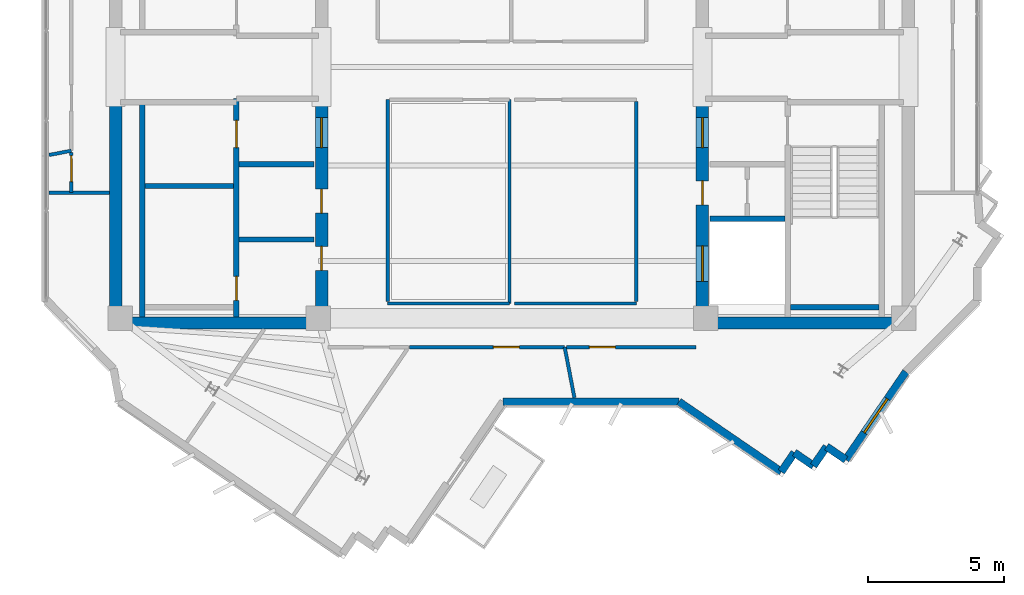
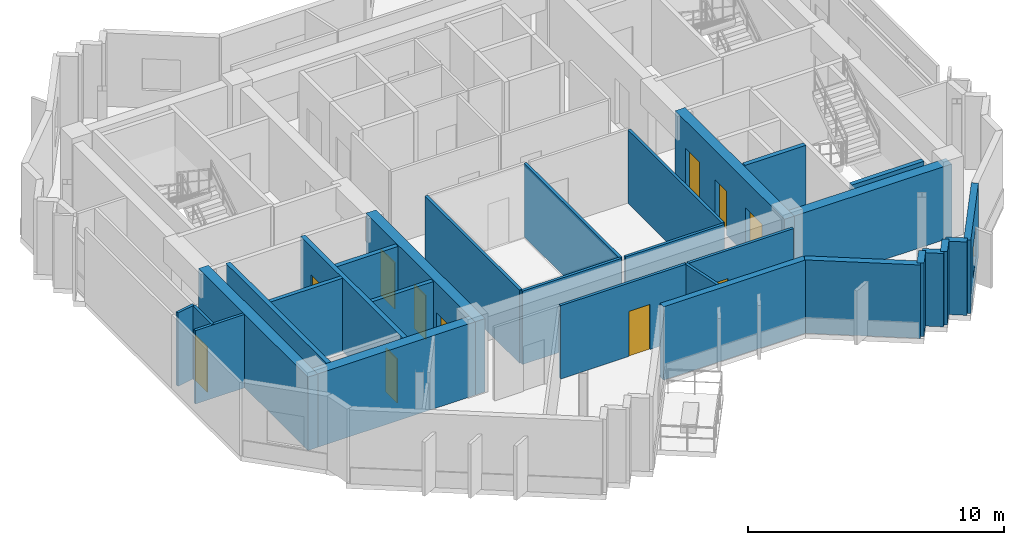
# One storey, part 5 of 11: 30 walls, 11 doors, 1 window, 12 openings.
"""IFC4 building model written with IfcOpenShell, lengths in metres."""

from ifc_helpers import new_model, si_unit, direction, frame, frame_2d, origin, place, context, subcontext, project, spatial, rectangle, extrude, source, transform, mapped, material, layer, layer_set, type_object, element, fill, save


model = new_model("IFC4")

# Units and contexts
model_context = context("Model", 3, precision=1e-05, world=origin(), true_north=direction((0.0, 1.0)))
body_context = subcontext(model_context, "Body", "Model", "MODEL_VIEW")
ifc_project = project(units=[si_unit("LENGTHUNIT", "METRE"), si_unit("AREAUNIT", "SQUARE_METRE"), si_unit("VOLUMEUNIT", "CUBIC_METRE"), si_unit("PLANEANGLEUNIT", "RADIAN"), si_unit("MASSUNIT", "GRAM", prefix="KILO")], contexts=[model_context])

# Site, building, storey
site_placement = place(None, origin())
site = spatial("IfcSite", under=ifc_project, at=site_placement, CompositionType="ELEMENT")
building_placement = place(site_placement, origin())
building = spatial("IfcBuilding", under=site, at=building_placement, Name="Zahravan Cultural Tower", CompositionType="ELEMENT")
storey_placement = place(building_placement, frame((0.0, 0.0, 338.550048828125)))
storey = spatial("IfcBuildingStorey", under=building, at=storey_placement, Name="L82", CompositionType="ELEMENT", Elevation=338.550048828125)

# Wall, openings, doors
ifc_material_1 = material(Name="Concrete C50/60", Category="concrete")
ifc_layer_1 = layer(ifc_material_1, 0.449951171875)
ifc_layer_set_1 = layer_set([ifc_layer_1], Name="Concrete C50/60")
wall_type_1 = type_object("IfcWallType", Name="CW-SHEAR-450-C50", PredefinedType="SHEAR", material=ifc_layer_set_1)
wall_1_placement = place(storey_placement, frame((29.02490234375, 17.39990234375, 0.0), z_axis=(0.0, 0.0, 1.0), x_axis=(0.0, 1.0, 0.0)))
wall_1 = element("IfcWall", 1, at=wall_1_placement, inside=storey, type_object=wall_type_1, Name="L82 Core Shear Wall CW-W-ES-L82", PredefinedType="SHEAR", context=body_context, shape_type="SweptSolid", body=[
    extrude(rectangle(XDim=8.550048828125, YDim=0.449951171875, at=frame_2d((4.27490234375, 0.0))), origin(), (0.0, 0.0, 1.0), 3.5),
])
opening_1_placement = place(wall_1_placement, frame((6.64990234375, 0.0, 0.0)))
opening_1 = element("IfcOpeningElement", 2, at=opening_1_placement, cuts=wall_1, Name="Opening D-L82-08", PredefinedType="OPENING", context=body_context, shape_type="SweptSolid", body=[
    extrude(rectangle(XDim=1.10009765625, YDim=2.199951171875, at=frame_2d((0.550048828125, 1.10009765625))), frame((0.0, 0.23486328125, 0.0), z_axis=(0.0, -1.0, 0.0), x_axis=(1.0, 0.0, 0.0)), (0.0, 0.0, 1.0), 0.469970703125),
])
opening_2_placement = place(wall_1_placement, frame((2.14990234375, 0.0, 0.0)))
opening_2 = element("IfcOpeningElement", 3, at=opening_2_placement, cuts=wall_1, Name="Opening D-L82-10", PredefinedType="OPENING", context=body_context, shape_type="SweptSolid", body=[
    extrude(rectangle(XDim=0.8798828125, YDim=2.10009765625, at=frame_2d((0.43994140625, 1.050048828125))), frame((0.0, 0.23486328125, 0.0), z_axis=(0.0, -1.0, 0.0), x_axis=(1.0, 0.0, 0.0)), (0.0, 0.0, 1.0), 0.469970703125),
])
opening_3_placement = place(wall_1_placement, frame((4.25, 0.0, 0.0)))
opening_3 = element("IfcOpeningElement", 4, at=opening_3_placement, cuts=wall_1, Name="Opening D-L82-11", PredefinedType="OPENING", context=body_context, shape_type="SweptSolid", body=[
    extrude(rectangle(XDim=0.8798828125, YDim=2.10009765625, at=frame_2d((0.43994140625, 1.050048828125))), frame((0.0, 0.23486328125, 0.0), z_axis=(0.0, -1.0, 0.0), x_axis=(1.0, 0.0, 0.0)), (0.0, 0.0, 1.0), 0.469970703125),
])
ifc_material_2 = material(Name="Steel ASTM A572 Grade 50", Category="steel")
door_type_1 = type_object("IfcDoorType", Name="DR-LOBBY-1100", OperationType="NOTDEFINED", PredefinedType="DOOR", material=ifc_material_2)
shared_shape_1 = source(origin(), body_context, "Body", "SweptSolid", [
    extrude(rectangle(XDim=1.10009765625, YDim=2.199951171875, at=frame_2d((0.550048828125, 1.10009765625))), frame((0.0, 0.02490234375, 0.0), z_axis=(0.0, -1.0, 0.0), x_axis=(1.0, 0.0, 0.0)), (0.0, 0.0, 1.0), 0.050048828125),
])
door_1_placement = place(opening_1_placement, origin())
door_1 = element("IfcDoor", 5, at=door_1_placement, inside=storey, type_object=door_type_1, Name="L82 Door D-L82-08", OperationType="SINGLE_SWING_LEFT", OverallHeight=2.199951171875, OverallWidth=1.10009765625, PredefinedType="DOOR", context=body_context, shape_type="MappedRepresentation", body=[
    mapped(shared_shape_1, transform((0.0, 0.0, 0.0), x_axis=(1.0, 0.0, 0.0), y_axis=(0.0, 1.0, 0.0), z_axis=(0.0, 0.0, 1.0), scale=1.0)),
])
fill(opening_1, door_1)
door_type_2 = type_object("IfcDoorType", Name="DR-SVC-880", OperationType="NOTDEFINED", PredefinedType="DOOR", material=ifc_material_2)
shared_shape_2 = source(origin(), body_context, "Body", "SweptSolid", [
    extrude(rectangle(XDim=0.8798828125, YDim=2.10009765625, at=frame_2d((0.43994140625, 1.050048828125))), frame((0.0, 0.02490234375, 0.0), z_axis=(0.0, -1.0, 0.0), x_axis=(1.0, 0.0, 0.0)), (0.0, 0.0, 1.0), 0.050048828125),
])
door_2_placement = place(opening_2_placement, origin())
door_2 = element("IfcDoor", 6, at=door_2_placement, inside=storey, type_object=door_type_2, Name="L82 Door D-L82-10", OperationType="SINGLE_SWING_LEFT", OverallHeight=2.10009765625, OverallWidth=0.8798828125, PredefinedType="DOOR", context=body_context, shape_type="MappedRepresentation", body=[
    mapped(shared_shape_2, transform((0.0, 0.0, 0.0), x_axis=(1.0, 0.0, 0.0), y_axis=(0.0, 1.0, 0.0), z_axis=(0.0, 0.0, 1.0), scale=1.0)),
])
fill(opening_2, door_2)
door_3_placement = place(opening_3_placement, origin())
door_3 = element("IfcDoor", 7, at=door_3_placement, inside=storey, type_object=door_type_2, Name="L82 Door D-L82-11", OperationType="SINGLE_SWING_RIGHT", OverallHeight=2.10009765625, OverallWidth=0.8798828125, PredefinedType="DOOR", context=body_context, shape_type="MappedRepresentation", body=[
    mapped(shared_shape_2, transform((0.0, 0.0, 0.0), x_axis=(1.0, 0.0, 0.0), y_axis=(0.0, 1.0, 0.0), z_axis=(0.0, 0.0, 1.0), scale=1.0)),
])
fill(opening_3, door_3)

wall_2_placement = place(storey_placement, frame((42.97509765625, 17.39990234375, 0.0), z_axis=(0.0, 0.0, 1.0), x_axis=(0.0, 1.0, 0.0)))
wall_2 = element("IfcWall", 8, at=wall_2_placement, inside=storey, type_object=wall_type_1, Name="L82 Core Shear Wall CW-E-WS-L82", PredefinedType="SHEAR", context=body_context, shape_type="SweptSolid", body=[
    extrude(rectangle(XDim=8.550048828125, YDim=0.449951171875, at=frame_2d((4.27490234375, 0.0))), origin(), (0.0, 0.0, 1.0), 3.5),
])
opening_4_placement = place(wall_2_placement, frame((6.64990234375, 0.0, 0.0)))
opening_4 = element("IfcOpeningElement", 9, at=opening_4_placement, cuts=wall_2, Name="Opening D-L82-09", PredefinedType="OPENING", context=body_context, shape_type="SweptSolid", body=[
    extrude(rectangle(XDim=1.10009765625, YDim=2.199951171875, at=frame_2d((0.550048828125, 1.10009765625))), frame((0.0, 0.23486328125, 0.0), z_axis=(0.0, -1.0, 0.0), x_axis=(1.0, 0.0, 0.0)), (0.0, 0.0, 1.0), 0.469970703125),
])
opening_5_placement = place(wall_2_placement, frame((1.75, 0.0, 0.0)))
opening_5 = element("IfcOpeningElement", 10, at=opening_5_placement, cuts=wall_2, Name="Opening LD-L82-03", PredefinedType="OPENING", context=body_context, shape_type="SweptSolid", body=[
    extrude(rectangle(XDim=1.300048828125, YDim=2.199951171875, at=frame_2d((0.64990234375, 1.10009765625))), frame((0.0, 0.23486328125, 0.0), z_axis=(0.0, -1.0, 0.0), x_axis=(1.0, 0.0, 0.0)), (0.0, 0.0, 1.0), 0.469970703125),
])
opening_6_placement = place(wall_2_placement, frame((4.550048828125, 0.0, 0.0)))
opening_6 = element("IfcOpeningElement", 11, at=opening_6_placement, cuts=wall_2, Name="Opening D-L82-12", PredefinedType="OPENING", context=body_context, shape_type="SweptSolid", body=[
    extrude(rectangle(XDim=0.8798828125, YDim=2.10009765625, at=frame_2d((0.43994140625, 1.050048828125))), frame((0.0, 0.23486328125, 0.0), z_axis=(0.0, -1.0, 0.0), x_axis=(1.0, 0.0, 0.0)), (0.0, 0.0, 1.0), 0.469970703125),
])
door_4_placement = place(opening_4_placement, origin())
door_4 = element("IfcDoor", 12, at=door_4_placement, inside=storey, type_object=door_type_1, Name="L82 Door D-L82-09", OperationType="SINGLE_SWING_RIGHT", OverallHeight=2.199951171875, OverallWidth=1.10009765625, PredefinedType="DOOR", context=body_context, shape_type="MappedRepresentation", body=[
    mapped(shared_shape_1, transform((0.0, 0.0, 0.0), x_axis=(1.0, 0.0, 0.0), y_axis=(0.0, 1.0, 0.0), z_axis=(0.0, 0.0, 1.0), scale=1.0)),
])
fill(opening_4, door_4)
door_type_3 = type_object("IfcDoorType", Name="DR-LIFT-1300", OperationType="DOUBLE_DOOR_SLIDING", PredefinedType="DOOR", material=ifc_material_2)
shared_shape_3 = source(origin(), body_context, "Body", "SweptSolid", [
    extrude(rectangle(XDim=1.300048828125, YDim=2.199951171875, at=frame_2d((0.64990234375, 1.10009765625))), frame((0.0, 0.02490234375, 0.0), z_axis=(0.0, -1.0, 0.0), x_axis=(1.0, 0.0, 0.0)), (0.0, 0.0, 1.0), 0.050048828125),
])
door_5_placement = place(opening_5_placement, origin())
door_5 = element("IfcDoor", 13, at=door_5_placement, inside=storey, type_object=door_type_3, Name="L82 Door LD-L82-03", OperationType="DOUBLE_DOOR_SLIDING", OverallHeight=2.199951171875, OverallWidth=1.300048828125, PredefinedType="DOOR", context=body_context, shape_type="MappedRepresentation", body=[
    mapped(shared_shape_3, transform((0.0, 0.0, 0.0), x_axis=(1.0, 0.0, 0.0), y_axis=(0.0, 1.0, 0.0), z_axis=(0.0, 0.0, 1.0), scale=1.0)),
])
fill(opening_5, door_5)
door_6_placement = place(opening_6_placement, origin())
door_6 = element("IfcDoor", 14, at=door_6_placement, inside=storey, type_object=door_type_2, Name="L82 Door D-L82-12", OperationType="SINGLE_SWING_LEFT", OverallHeight=2.10009765625, OverallWidth=0.8798828125, PredefinedType="DOOR", context=body_context, shape_type="MappedRepresentation", body=[
    mapped(shared_shape_2, transform((0.0, 0.0, 0.0), x_axis=(1.0, 0.0, 0.0), y_axis=(0.0, 1.0, 0.0), z_axis=(0.0, 0.0, 1.0), scale=1.0)),
])
fill(opening_6, door_6)

# Wall, opening, window
ifc_material_3 = material(Name="Precast concrete C40/50", Category="concrete")
ifc_layer_2 = layer(ifc_material_3, 0.280029296875)
ifc_layer_set_2 = layer_set([ifc_layer_2], Name="Precast concrete C40/50")
wall_type_2 = type_object("IfcWallType", Name="EW-TC-280", PredefinedType="SOLIDWALL", material=ifc_layer_set_2)
wall_3_placement = place(storey_placement, frame((50.43701171875, 15.8349609375, 0.0), z_axis=(0.0, 0.0, 1.0), x_axis=(-0.564961879511, -0.825117006672, 0.0)))
wall_3 = element("IfcWall", 15, at=wall_3_placement, inside=storey, type_object=wall_type_2, Name="L82 Exterior Masonry Frame Wall 27", PredefinedType="SOLIDWALL", context=body_context, shape_type="SweptSolid", body=[
    extrude(rectangle(XDim=3.90380859375, YDim=0.280029296875, at=frame_2d((1.951904296875, 0.0))), origin(), (0.0, 0.0, 1.0), 3.5),
])
opening_7_placement = place(wall_3_placement, frame((1.201904296875, 0.0, 0.85009765625)))
opening_7 = element("IfcOpeningElement", 16, at=opening_7_placement, cuts=wall_3, Name="Opening WN-03", PredefinedType="OPENING", context=body_context, shape_type="SweptSolid", body=[
    extrude(rectangle(XDim=1.5, YDim=1.5, at=frame_2d((0.75, 0.75))), frame((0.0, 0.14990234375, 0.0), z_axis=(0.0, -1.0, 0.0), x_axis=(1.0, 0.0, 0.0)), (0.0, 0.0, 1.0), 0.300048828125),
])
ifc_material_4 = material(Name="Low-E solar-control double glazing", Category="glass")
window_type = type_object("IfcWindowType", Name="WN-REC-1500X1500", PartitioningType="SINGLE_PANEL", PredefinedType="WINDOW", material=ifc_material_4)
shared_shape_4 = source(origin(), body_context, "Body", "SweptSolid", [
    extrude(rectangle(XDim=1.5, YDim=1.5, at=frame_2d((0.75, 0.75))), frame((0.0, 0.030029296875, 0.0), z_axis=(0.0, -1.0, 0.0), x_axis=(1.0, 0.0, 0.0)), (0.0, 0.0, 1.0), 0.06005859375),
])
window_placement = place(opening_7_placement, origin())
window = element("IfcWindow", 17, at=window_placement, inside=storey, type_object=window_type, Name="L82 Recessed Solar Window 08", OverallHeight=1.5, OverallWidth=1.5, PartitioningType="SINGLE_PANEL", PredefinedType="WINDOW", context=body_context, shape_type="MappedRepresentation", body=[
    mapped(shared_shape_4, transform((0.0, 0.0, 0.0), x_axis=(1.0, 0.0, 0.0), y_axis=(0.0, 1.0, 0.0), z_axis=(0.0, 0.0, 1.0), scale=1.0)),
])
fill(opening_7, window)

# Wall, opening, door
ifc_material_5 = material(Name="Gypsum plasterboard partition")
ifc_layer_3 = layer(ifc_material_5, 0.125)
ifc_layer_set_3 = layer_set([ifc_layer_3], Name="Gypsum plasterboard partition")
wall_type_3 = type_object("IfcWallType", Name="W-PART-125", PredefinedType="PARTITIONING", material=ifc_layer_set_3)
wall_4_placement = place(storey_placement, frame((19.85009765625, 23.869384765625, 0.0), z_axis=(0.0, 0.0, 1.0), x_axis=(0.000665004009, -0.999999778885, 0.0)))
wall_4 = element("IfcWall", 18, at=wall_4_placement, inside=storey, type_object=wall_type_3, Name="L82 Interior Wall 069", PredefinedType="PARTITIONING", context=body_context, shape_type="SweptSolid", body=[
    extrude(rectangle(XDim=1.468505859375, YDim=0.125, at=frame_2d((0.734375, 0.0))), origin(), (0.0, 0.0, 1.0), 3.5),
])
opening_8_placement = place(wall_4_placement, frame((0.114013671875, 0.0, 0.0)))
opening_8 = element("IfcOpeningElement", 19, at=opening_8_placement, cuts=wall_4, Name="Opening D-L82-25", PredefinedType="OPENING", context=body_context, shape_type="SweptSolid", body=[
    extrude(rectangle(XDim=0.949951171875, YDim=2.14990234375, at=frame_2d((0.47509765625, 1.074951171875))), frame((0.0, 0.072509765625, 0.0), z_axis=(0.0, -1.0, 0.0), x_axis=(1.0, 0.0, 0.0)), (0.0, 0.0, 1.0), 0.14501953125),
])
ifc_material_6 = material(Name="Anodised bronze-aluminium mullion", Category="aluminium")
door_type_4 = type_object("IfcDoorType", Name="DR-ROOM-950", OperationType="NOTDEFINED", PredefinedType="DOOR", material=ifc_material_6)
shared_shape_5 = source(origin(), body_context, "Body", "SweptSolid", [
    extrude(rectangle(XDim=0.949951171875, YDim=2.14990234375, at=frame_2d((0.47509765625, 1.074951171875))), frame((0.0, 0.02490234375, 0.0), z_axis=(0.0, -1.0, 0.0), x_axis=(1.0, 0.0, 0.0)), (0.0, 0.0, 1.0), 0.050048828125),
])
door_7_placement = place(opening_8_placement, origin())
door_7 = element("IfcDoor", 20, at=door_7_placement, inside=storey, type_object=door_type_4, Name="L82 Door D-L82-25", OperationType="SINGLE_SWING_RIGHT", OverallHeight=2.14990234375, OverallWidth=0.949951171875, PredefinedType="DOOR", context=body_context, shape_type="MappedRepresentation", body=[
    mapped(shared_shape_5, transform((0.0, 0.0, 0.0), x_axis=(1.0, 0.0, 0.0), y_axis=(0.0, 1.0, 0.0), z_axis=(0.0, 0.0, 1.0), scale=1.0)),
])
fill(opening_8, door_7)

wall_5_placement = place(storey_placement, frame((32.235107421875, 16.739990234375, 0.0), z_axis=(0.0, 0.0, 1.0), x_axis=(1.0, 0.0, 0.0)))
wall_5 = element("IfcWall", 21, at=wall_5_placement, inside=storey, type_object=wall_type_3, Name="L82 Interior Wall 092", PredefinedType="PARTITIONING", context=body_context, shape_type="SweptSolid", body=[
    extrude(rectangle(XDim=5.696044921875, YDim=0.125, at=frame_2d((2.84814453125, 0.0))), origin(), (0.0, 0.0, 1.0), 3.5),
])
opening_9_placement = place(wall_5_placement, frame((3.0849609375, 0.0, 0.0)))
opening_9 = element("IfcOpeningElement", 22, at=opening_9_placement, cuts=wall_5, Name="Opening D-L82-27", PredefinedType="OPENING", context=body_context, shape_type="SweptSolid", body=[
    extrude(rectangle(XDim=0.949951171875, YDim=2.14990234375, at=frame_2d((0.47509765625, 1.074951171875))), frame((0.0, 0.072509765625, 0.0), z_axis=(0.0, -1.0, 0.0), x_axis=(1.0, 0.0, 0.0)), (0.0, 0.0, 1.0), 0.14501953125),
])
door_8_placement = place(opening_9_placement, origin())
door_8 = element("IfcDoor", 23, at=door_8_placement, inside=storey, type_object=door_type_4, Name="L82 Door D-L82-27", OperationType="SINGLE_SWING_RIGHT", OverallHeight=2.14990234375, OverallWidth=0.949951171875, PredefinedType="DOOR", context=body_context, shape_type="MappedRepresentation", body=[
    mapped(shared_shape_5, transform((0.0, 0.0, 0.0), x_axis=(1.0, 0.0, 0.0), y_axis=(0.0, 1.0, 0.0), z_axis=(0.0, 0.0, 1.0), scale=1.0)),
])
fill(opening_9, door_8)

wall_6_placement = place(storey_placement, frame((37.999755859375, 16.739990234375, 0.0), z_axis=(0.0, 0.0, 1.0), x_axis=(1.0, 0.0, 0.0)))
wall_6 = element("IfcWall", 24, at=wall_6_placement, inside=storey, type_object=wall_type_3, Name="L82 Interior Wall 095", PredefinedType="PARTITIONING", context=body_context, shape_type="SweptSolid", body=[
    extrude(rectangle(XDim=4.744384765625, YDim=0.125, at=frame_2d((2.3720703125, 0.0))), origin(), (0.0, 0.0, 1.0), 3.5),
])
opening_10_placement = place(wall_6_placement, frame((0.834716796875, 0.0, 0.0)))
opening_10 = element("IfcOpeningElement", 25, at=opening_10_placement, cuts=wall_6, Name="Opening D-L82-28", PredefinedType="OPENING", context=body_context, shape_type="SweptSolid", body=[
    extrude(rectangle(XDim=0.949951171875, YDim=2.14990234375, at=frame_2d((0.47509765625, 1.074951171875))), frame((0.0, 0.072509765625, 0.0), z_axis=(0.0, -1.0, 0.0), x_axis=(1.0, 0.0, 0.0)), (0.0, 0.0, 1.0), 0.14501953125),
])
door_9_placement = place(opening_10_placement, origin())
door_9 = element("IfcDoor", 26, at=door_9_placement, inside=storey, type_object=door_type_4, Name="L82 Door D-L82-28", OperationType="SINGLE_SWING_LEFT", OverallHeight=2.14990234375, OverallWidth=0.949951171875, PredefinedType="DOOR", context=body_context, shape_type="MappedRepresentation", body=[
    mapped(shared_shape_5, transform((0.0, 0.0, 0.0), x_axis=(1.0, 0.0, 0.0), y_axis=(0.0, 1.0, 0.0), z_axis=(0.0, 0.0, 1.0), scale=1.0)),
])
fill(opening_10, door_9)

# Wall, openings, doors
ifc_material_7 = material(Name="Concrete C45/55", Category="concrete")
ifc_layer_4 = layer(ifc_material_7, 0.199951171875)
ifc_layer_set_4 = layer_set([ifc_layer_4], Name="Concrete C45/55")
wall_type_4 = type_object("IfcWallType", Name="W-SHAFT-200", PredefinedType="SOLIDWALL", material=ifc_layer_set_4)
wall_7_placement = place(storey_placement, frame((25.89990234375, 17.85009765625, 0.0), z_axis=(0.0, 0.0, 1.0), x_axis=(0.0, 1.0, 0.0)))
wall_7 = element("IfcWall", 27, at=wall_7_placement, inside=storey, type_object=wall_type_4, Name="L82 Interior Wall 005", PredefinedType="SOLIDWALL", context=body_context, shape_type="SweptSolid", body=[
    extrude(rectangle(XDim=8.0, YDim=0.199951171875, at=frame_2d((4.0, 0.0))), origin(), (0.0, 0.0, 1.0), 3.5),
])
opening_11_placement = place(wall_7_placement, frame((6.199951171875, 0.0, 0.0)))
opening_11 = element("IfcOpeningElement", 28, at=opening_11_placement, cuts=wall_7, Name="Opening D-L82-04", PredefinedType="OPENING", context=body_context, shape_type="SweptSolid", body=[
    extrude(rectangle(XDim=1.0, YDim=2.14990234375, at=frame_2d((0.5, 1.074951171875))), frame((0.0, 0.10986328125, 0.0), z_axis=(0.0, -1.0, 0.0), x_axis=(1.0, 0.0, 0.0)), (0.0, 0.0, 1.0), 0.219970703125),
])
opening_12_placement = place(wall_7_placement, frame((0.60009765625, 0.0, 0.0)))
opening_12 = element("IfcOpeningElement", 29, at=opening_12_placement, cuts=wall_7, Name="Opening D-L82-05", PredefinedType="OPENING", context=body_context, shape_type="SweptSolid", body=[
    extrude(rectangle(XDim=0.8798828125, YDim=2.10009765625, at=frame_2d((0.43994140625, 1.050048828125))), frame((0.0, 0.10986328125, 0.0), z_axis=(0.0, -1.0, 0.0), x_axis=(1.0, 0.0, 0.0)), (0.0, 0.0, 1.0), 0.219970703125),
])
door_10_placement = place(opening_12_placement, origin())
door_10 = element("IfcDoor", 30, at=door_10_placement, inside=storey, type_object=door_type_2, Name="L82 Door D-L82-05", OperationType="SINGLE_SWING_RIGHT", OverallHeight=2.10009765625, OverallWidth=0.8798828125, PredefinedType="DOOR", context=body_context, shape_type="MappedRepresentation", body=[
    mapped(shared_shape_2, transform((0.0, 0.0, 0.0), x_axis=(1.0, 0.0, 0.0), y_axis=(0.0, 1.0, 0.0), z_axis=(0.0, 0.0, 1.0), scale=1.0)),
])
fill(opening_12, door_10)
door_type_5 = type_object("IfcDoorType", Name="DR-COMP-1000", OperationType="NOTDEFINED", PredefinedType="DOOR", material=ifc_material_2)
shared_shape_6 = source(origin(), body_context, "Body", "SweptSolid", [
    extrude(rectangle(XDim=1.0, YDim=2.14990234375, at=frame_2d((0.5, 1.074951171875))), frame((0.0, 0.02490234375, 0.0), z_axis=(0.0, -1.0, 0.0), x_axis=(1.0, 0.0, 0.0)), (0.0, 0.0, 1.0), 0.050048828125),
])
door_11_placement = place(opening_11_placement, origin())
door_11 = element("IfcDoor", 31, at=door_11_placement, inside=storey, type_object=door_type_5, Name="L82 Door D-L82-04", OperationType="SINGLE_SWING_LEFT", OverallHeight=2.14990234375, OverallWidth=1.0, PredefinedType="DOOR", context=body_context, shape_type="MappedRepresentation", body=[
    mapped(shared_shape_6, transform((0.0, 0.0, 0.0), x_axis=(1.0, 0.0, 0.0), y_axis=(0.0, 1.0, 0.0), z_axis=(0.0, 0.0, 1.0), scale=1.0)),
])
fill(opening_11, door_11)

# Walls
shared_shape_7 = source(origin(), body_context, "Body", "SweptSolid", [
    extrude(rectangle(XDim=8.550048828125, YDim=0.449951171875, at=frame_2d((4.27490234375, 0.0))), origin(), (0.0, 0.0, 1.0), 3.5),
])
wall_8_placement = place(storey_placement, frame((21.47509765625, 17.39990234375, 0.0), z_axis=(0.0, 0.0, 1.0), x_axis=(0.0, 1.0, 0.0)))
element("IfcWall", 32, at=wall_8_placement, inside=storey, type_object=wall_type_1, Name="L82 Core Shear Wall CW-W-WS-L82", PredefinedType="SHEAR", context=body_context, shape_type="MappedRepresentation", body=[
    mapped(shared_shape_7, transform((0.0, 0.0, 0.0), x_axis=(1.0, 0.0, 0.0), y_axis=(0.0, 1.0, 0.0), z_axis=(0.0, 0.0, 1.0), scale=1.0)),
])
shared_shape_8 = source(origin(), body_context, "Body", "SweptSolid", [
    extrude(rectangle(XDim=7.10009765625, YDim=0.449951171875, at=frame_2d((3.550048828125, 0.0))), origin(), (0.0, 0.0, 1.0), 3.5),
])
for number, where, z_axis, x_axis, name in (
    (33, (21.699951171875, 17.625, 0.0), (0.0, 0.0, 1.0), (1.0, 0.0, 0.0), "L82 Core Shear Wall CW-W-S-L82"),
    (34, (43.199951171875, 17.625, 0.0), (0.0, 0.0, 1.0), (1.0, 0.0, 0.0), "L82 Core Shear Wall CW-E-S-L82"),
):
    element("IfcWall", number, at=place(storey_placement, frame(where, z_axis=z_axis, x_axis=x_axis)), inside=storey, type_object=wall_type_1, Name=name, PredefinedType="SHEAR", context=body_context, shape_type="MappedRepresentation", body=[
        mapped(shared_shape_8, transform((0.0, 0.0, 0.0), x_axis=(1.0, 0.0, 0.0), y_axis=(0.0, 1.0, 0.0), z_axis=(0.0, 0.0, 1.0), scale=1.0)),
    ])
shared_shape_9 = source(origin(), body_context, "Body", "SweptSolid", [
    extrude(rectangle(XDim=0.85009765625, YDim=0.280029296875, at=frame_2d((0.425048828125, 0.0))), origin(), (0.0, 0.0, 1.0), 3.5),
])
for number, where, z_axis, x_axis, name in (
    (35, (48.2314453125, 12.61376953125, 0.0), (0.0, 0.0, 1.0), (-0.825138153006, 0.564930994418, 0.0), "L82 Exterior Masonry Frame Wall 28"),
    (36, (47.530029296875, 13.093994140625, 0.0), (0.0, 0.0, 1.0), (-0.564930994418, -0.825138153006, 0.0), "L82 Exterior Masonry Frame Wall 29"),
    (37, (47.0498046875, 12.392578125, 0.0), (0.0, 0.0, 1.0), (-0.825138153006, 0.564930994418, 0.0), "L82 Exterior Masonry Frame Wall 30"),
    (38, (46.348388671875, 12.872802734375, 0.0), (0.0, 0.0, 1.0), (-0.564930994418, -0.825138153006, 0.0), "L82 Exterior Masonry Frame Wall 31"),
):
    element("IfcWall", number, at=place(storey_placement, frame(where, z_axis=z_axis, x_axis=x_axis)), inside=storey, type_object=wall_type_2, Name=name, PredefinedType="SOLIDWALL", context=body_context, shape_type="MappedRepresentation", body=[
        mapped(shared_shape_9, transform((0.0, 0.0, 0.0), x_axis=(1.0, 0.0, 0.0), y_axis=(0.0, 1.0, 0.0), z_axis=(0.0, 0.0, 1.0), scale=1.0)),
    ])
shared_shape_10 = source(origin(), body_context, "Body", "SweptSolid", [
    extrude(rectangle(XDim=4.54638671875, YDim=0.280029296875, at=frame_2d((2.273193359375, 0.0))), origin(), (0.0, 0.0, 1.0), 3.5),
])
wall_9_placement = place(storey_placement, frame((45.8681640625, 12.17138671875, 0.0), z_axis=(0.0, 0.0, 1.0), x_axis=(-0.825104362901, 0.564980345075, 0.0)))
element("IfcWall", 39, at=wall_9_placement, inside=storey, type_object=wall_type_2, Name="L82 Exterior Masonry Frame Wall 32", PredefinedType="SOLIDWALL", context=body_context, shape_type="MappedRepresentation", body=[
    mapped(shared_shape_10, transform((0.0, 0.0, 0.0), x_axis=(1.0, 0.0, 0.0), y_axis=(0.0, 1.0, 0.0), z_axis=(0.0, 0.0, 1.0), scale=1.0)),
])
shared_shape_11 = source(origin(), body_context, "Body", "SweptSolid", [
    extrude(rectangle(XDim=6.43994140625, YDim=0.280029296875, at=frame_2d((3.219970703125, 0.0))), origin(), (0.0, 0.0, 1.0), 3.5),
])
wall_10_placement = place(storey_placement, frame((42.116943359375, 14.739990234375, 0.0), z_axis=(0.0, 0.0, 1.0), x_axis=(-1.0, 0.0, 0.0)))
element("IfcWall", 40, at=wall_10_placement, inside=storey, type_object=wall_type_2, Name="L82 Exterior Masonry Frame Wall 33", PredefinedType="SOLIDWALL", context=body_context, shape_type="MappedRepresentation", body=[
    mapped(shared_shape_11, transform((0.0, 0.0, 0.0), x_axis=(1.0, 0.0, 0.0), y_axis=(0.0, 1.0, 0.0), z_axis=(0.0, 0.0, 1.0), scale=1.0)),
])
shared_shape_12 = source(origin(), body_context, "Body", "SweptSolid", [
    extrude(rectangle(XDim=7.869873046875, YDim=0.199951171875, at=frame_2d((3.93505859375, 0.0))), origin(), (0.0, 0.0, 1.0), 3.5),
])
wall_11_placement = place(storey_placement, frame((22.449951171875, 17.85009765625, 0.0), z_axis=(0.0, 0.0, 1.0), x_axis=(0.0, 1.0, 0.0)))
element("IfcWall", 41, at=wall_11_placement, inside=storey, type_object=wall_type_4, Name="L82 Interior Wall 001", PredefinedType="SOLIDWALL", context=body_context, shape_type="MappedRepresentation", body=[
    mapped(shared_shape_12, transform((0.0, 0.0, 0.0), x_axis=(1.0, 0.0, 0.0), y_axis=(0.0, 1.0, 0.0), z_axis=(0.0, 0.0, 1.0), scale=1.0)),
])
shared_shape_13 = source(origin(), body_context, "Body", "SweptSolid", [
    extrude(rectangle(XDim=3.25, YDim=0.199951171875, at=frame_2d((1.625, 0.0))), origin(), (0.0, 0.0, 1.0), 3.5),
])
wall_12_placement = place(storey_placement, frame((46.199951171875, 18.199951171875, 0.0), z_axis=(0.0, 0.0, 1.0), x_axis=(1.0, 0.0, 0.0)))
element("IfcWall", 42, at=wall_12_placement, inside=storey, type_object=wall_type_4, Name="L82 Interior Wall 020", PredefinedType="SOLIDWALL", context=body_context, shape_type="MappedRepresentation", body=[
    mapped(shared_shape_13, transform((0.0, 0.0, 0.0), x_axis=(1.0, 0.0, 0.0), y_axis=(0.0, 1.0, 0.0), z_axis=(0.0, 0.0, 1.0), scale=1.0)),
])
ifc_layer_5 = layer(ifc_material_5, 0.179931640625)
ifc_layer_set_5 = layer_set([ifc_layer_5], Name="Gypsum plasterboard partition")
wall_type_5 = type_object("IfcWallType", Name="W-COMP-180", PredefinedType="PARTITIONING", material=ifc_layer_set_5)
shared_shape_14 = source(origin(), body_context, "Body", "SweptSolid", [
    extrude(rectangle(XDim=3.25, YDim=0.179931640625, at=frame_2d((1.625, 0.0))), origin(), (0.0, 0.0, 1.0), 3.5),
])
wall_13_placement = place(storey_placement, frame((22.550048828125, 22.64990234375, 0.0), z_axis=(0.0, 0.0, 1.0), x_axis=(1.0, 0.0, 0.0)))
element("IfcWall", 43, at=wall_13_placement, inside=storey, type_object=wall_type_5, Name="L82 Interior Wall 021", PredefinedType="PARTITIONING", context=body_context, shape_type="MappedRepresentation", body=[
    mapped(shared_shape_14, transform((0.0, 0.0, 0.0), x_axis=(1.0, 0.0, 0.0), y_axis=(0.0, 1.0, 0.0), z_axis=(0.0, 0.0, 1.0), scale=1.0)),
])
shared_shape_15 = source(origin(), body_context, "Body", "SweptSolid", [
    extrude(rectangle(XDim=2.75, YDim=0.199951171875, at=frame_2d((1.375, 0.0))), origin(), (0.0, 0.0, 1.0), 3.5),
])
for number, where, z_axis, x_axis, name in (
    (44, (26.0, 23.449951171875, 0.0), (0.0, 0.0, 1.0), (1.0, 0.0, 0.0), "L82 Interior Wall 024"),
    (45, (43.25, 21.449951171875, 0.0), (0.0, 0.0, 1.0), (1.0, 0.0, 0.0), "L82 Interior Wall 026"),
):
    element("IfcWall", number, at=place(storey_placement, frame(where, z_axis=z_axis, x_axis=x_axis)), inside=storey, type_object=wall_type_4, Name=name, PredefinedType="SOLIDWALL", context=body_context, shape_type="MappedRepresentation", body=[
        mapped(shared_shape_15, transform((0.0, 0.0, 0.0), x_axis=(1.0, 0.0, 0.0), y_axis=(0.0, 1.0, 0.0), z_axis=(0.0, 0.0, 1.0), scale=1.0)),
    ])
shared_shape_16 = source(origin(), body_context, "Body", "SweptSolid", [
    extrude(rectangle(XDim=2.75, YDim=0.179931640625, at=frame_2d((1.375, 0.0))), origin(), (0.0, 0.0, 1.0), 3.5),
])
wall_14_placement = place(storey_placement, frame((26.0, 20.679931640625, 0.0), z_axis=(0.0, 0.0, 1.0), x_axis=(1.0, 0.0, 0.0)))
element("IfcWall", 46, at=wall_14_placement, inside=storey, type_object=wall_type_5, Name="L82 Interior Wall 027", PredefinedType="PARTITIONING", context=body_context, shape_type="MappedRepresentation", body=[
    mapped(shared_shape_16, transform((0.0, 0.0, 0.0), x_axis=(1.0, 0.0, 0.0), y_axis=(0.0, 1.0, 0.0), z_axis=(0.0, 0.0, 1.0), scale=1.0)),
])
shared_shape_17 = source(origin(), body_context, "Body", "SweptSolid", [
    extrude(rectangle(XDim=4.469970703125, YDim=0.125, at=frame_2d((2.23486328125, 0.0))), origin(), (0.0, 0.0, 1.0), 3.5),
])
for number, where, z_axis, x_axis, name in (
    (47, (35.909912109375, 18.340087890625, 0.0), (0.0, 0.0, 1.0), (-1.0, 0.0, 0.0), "L82 Interior Wall 083"),
    (48, (40.56005859375, 18.340087890625, 0.0), (0.0, 0.0, 1.0), (-1.0, 0.0, 0.0), "L82 Interior Wall 087"),
):
    element("IfcWall", number, at=place(storey_placement, frame(where, z_axis=z_axis, x_axis=x_axis)), inside=storey, type_object=wall_type_3, Name=name, PredefinedType="PARTITIONING", context=body_context, shape_type="MappedRepresentation", body=[
        mapped(shared_shape_17, transform((0.0, 0.0, 0.0), x_axis=(1.0, 0.0, 0.0), y_axis=(0.0, 1.0, 0.0), z_axis=(0.0, 0.0, 1.0), scale=1.0)),
    ])
shared_shape_18 = source(origin(), body_context, "Body", "SweptSolid", [
    extrude(rectangle(XDim=7.402587890625, YDim=0.125, at=frame_2d((3.701171875, 0.0))), origin(), (0.0, 0.0, 1.0), 3.5),
])
wall_15_placement = place(storey_placement, frame((31.43994140625, 18.407470703125, 0.0), z_axis=(0.0, 0.0, 1.0), x_axis=(0.0, 1.0, 0.0)))
element("IfcWall", 49, at=wall_15_placement, inside=storey, type_object=wall_type_3, Name="L82 Interior Wall 084", PredefinedType="PARTITIONING", context=body_context, shape_type="MappedRepresentation", body=[
    mapped(shared_shape_18, transform((0.0, 0.0, 0.0), x_axis=(1.0, 0.0, 0.0), y_axis=(0.0, 1.0, 0.0), z_axis=(0.0, 0.0, 1.0), scale=1.0)),
])
shared_shape_19 = source(origin(), body_context, "Body", "SweptSolid", [
    extrude(rectangle(XDim=7.469970703125, YDim=0.125, at=frame_2d((3.73486328125, 0.0))), origin(), (0.0, 0.0, 1.0), 3.5),
])
wall_16_placement = place(storey_placement, frame((35.909912109375, 25.81005859375, 0.0), z_axis=(0.0, 0.0, 1.0), x_axis=(0.0, -1.0, 0.0)))
element("IfcWall", 50, at=wall_16_placement, inside=storey, type_object=wall_type_3, Name="L82 Interior Wall 086", PredefinedType="PARTITIONING", context=body_context, shape_type="MappedRepresentation", body=[
    mapped(shared_shape_19, transform((0.0, 0.0, 0.0), x_axis=(1.0, 0.0, 0.0), y_axis=(0.0, 1.0, 0.0), z_axis=(0.0, 0.0, 1.0), scale=1.0)),
])
shared_shape_20 = source(origin(), body_context, "Body", "SweptSolid", [
    extrude(rectangle(XDim=7.3349609375, YDim=0.125, at=frame_2d((3.66748046875, 0.0))), origin(), (0.0, 0.0, 1.0), 3.5),
])
wall_17_placement = place(storey_placement, frame((40.56005859375, 25.742431640625, 0.0), z_axis=(0.0, 0.0, 1.0), x_axis=(0.0, -1.0, 0.0)))
element("IfcWall", 51, at=wall_17_placement, inside=storey, type_object=wall_type_3, Name="L82 Interior Wall 089", PredefinedType="PARTITIONING", context=body_context, shape_type="MappedRepresentation", body=[
    mapped(shared_shape_20, transform((0.0, 0.0, 0.0), x_axis=(1.0, 0.0, 0.0), y_axis=(0.0, 1.0, 0.0), z_axis=(0.0, 0.0, 1.0), scale=1.0)),
])
shared_shape_21 = source(origin(), body_context, "Body", "SweptSolid", [
    extrude(rectangle(XDim=2.215087890625, YDim=0.125, at=frame_2d((1.107421875, 0.0))), origin(), (0.0, 0.0, 1.0), 3.5),
])
wall_18_placement = place(storey_placement, frame((19.030029296875, 22.401611328125, 0.0), z_axis=(0.0, 0.0, 1.0), x_axis=(0.999999702379, -0.000771519665, 0.0)))
element("IfcWall", 52, at=wall_18_placement, inside=storey, type_object=wall_type_3, Name="L82 Interior Wall 070", PredefinedType="PARTITIONING", context=body_context, shape_type="MappedRepresentation", body=[
    mapped(shared_shape_21, transform((0.0, 0.0, 0.0), x_axis=(1.0, 0.0, 0.0), y_axis=(0.0, 1.0, 0.0), z_axis=(0.0, 0.0, 1.0), scale=1.0)),
])
shared_shape_22 = source(origin(), body_context, "Body", "SweptSolid", [
    extrude(rectangle(XDim=0.829833984375, YDim=0.125, at=frame_2d((0.4150390625, 0.0))), origin(), (0.0, 0.0, 1.0), 3.5),
])
wall_19_placement = place(storey_placement, frame((19.849853515625, 23.93798828125, 0.0), z_axis=(0.0, 0.0, 1.0), x_axis=(-0.98205677528, -0.188585498189, 0.0)))
element("IfcWall", 53, at=wall_19_placement, inside=storey, type_object=wall_type_3, Name="L82 Interior Wall 064", PredefinedType="PARTITIONING", context=body_context, shape_type="MappedRepresentation", body=[
    mapped(shared_shape_22, transform((0.0, 0.0, 0.0), x_axis=(1.0, 0.0, 0.0), y_axis=(0.0, 1.0, 0.0), z_axis=(0.0, 0.0, 1.0), scale=1.0)),
])
shared_shape_23 = source(origin(), body_context, "Body", "SweptSolid", [
    extrude(rectangle(XDim=1.888916015625, YDim=0.125, at=frame_2d((0.9443359375, 0.0))), origin(), (0.0, 0.0, 1.0), 3.5),
])
wall_20_placement = place(storey_placement, frame((37.93115234375, 16.739990234375, 0.0), z_axis=(0.0, 0.0, 1.0), x_axis=(0.188454265316, -0.982081966989, 0.0)))
element("IfcWall", 54, at=wall_20_placement, inside=storey, type_object=wall_type_3, Name="L82 Interior Wall 093", PredefinedType="PARTITIONING", context=body_context, shape_type="MappedRepresentation", body=[
    mapped(shared_shape_23, transform((0.0, 0.0, 0.0), x_axis=(1.0, 0.0, 0.0), y_axis=(0.0, 1.0, 0.0), z_axis=(0.0, 0.0, 1.0), scale=1.0)),
])

save(model, "model.ifc")
